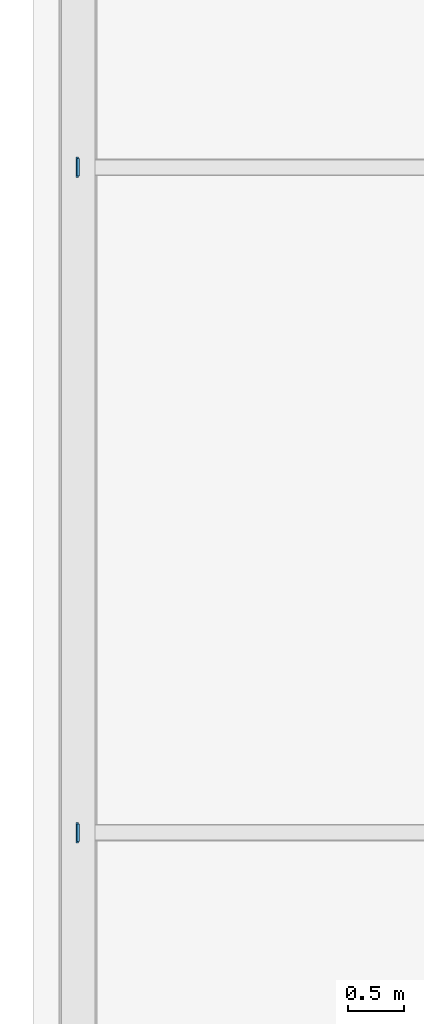
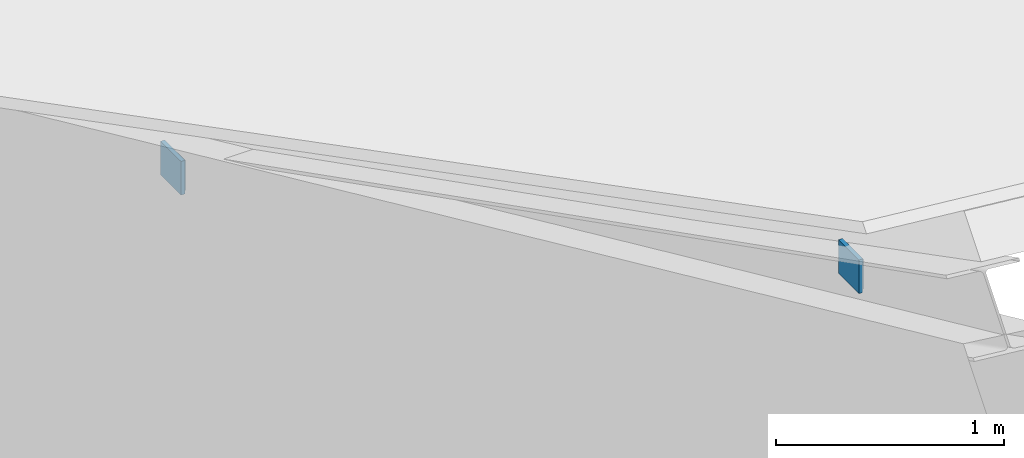
# One storey, part 38 of 45: 4 plates.
"""IFC4 building model written with IfcOpenShell, lengths in metres."""

from ifc_helpers import new_model, si_unit, direction, frame, origin, origin_2d, place, context, subcontext, project, spatial, rectangle, extrude, material, layer, layer_set, type_object, element, save


model = new_model("IFC4")

# Units and contexts
model_context = context("Model", 3, precision=1e-05, world=origin(), true_north=direction((0.0, 1.0)))
body_context = subcontext(model_context, "Body", "Model", "MODEL_VIEW")
ifc_project = project(units=[si_unit("LENGTHUNIT", "METRE"), si_unit("AREAUNIT", "SQUARE_METRE"), si_unit("VOLUMEUNIT", "CUBIC_METRE"), si_unit("PLANEANGLEUNIT", "RADIAN"), si_unit("MASSUNIT", "GRAM", prefix="KILO")], contexts=[model_context])

# Site, building, storey
site_placement = place(None, origin())
site = spatial("IfcSite", under=ifc_project, at=site_placement, CompositionType="ELEMENT")
building_placement = place(site_placement, origin())
building = spatial("IfcBuilding", under=site, at=building_placement, Name="Zhaolan Boulevard Law Courts", CompositionType="ELEMENT")
storey_placement = place(building_placement, frame((0.0, 0.0, 24.60009765625)))
storey = spatial("IfcBuildingStorey", under=building, at=storey_placement, Name="L05", CompositionType="ELEMENT", Elevation=24.60009765625)

# Plates
ifc_material = material(Name="Structural steel Q355B", Category="steel")
ifc_layer = layer(ifc_material, 0.02001953125)
ifc_layer_set = layer_set([ifc_layer])
plate_type = type_object("IfcPlateType", Name="END CAP PLATE 20", PredefinedType="SHEET", material=ifc_layer_set)
for number, where, z_axis, x_axis, name in (
    (1, (0.0, 106.050048828125, 2.62109375), (0.0, 0.0, 1.0), (1.0, 0.0, 0.0), "Library Purlin End-Cap Plate ECP-LPR1NW"),
    (2, (0.0, 100.10009765625, 5.701171875), (0.0, 0.0, 1.0), (1.0, 0.0, 0.0), "Library Purlin End-Cap Plate ECP-LPR2NW"),
):
    element("IfcPlate", number, at=place(storey_placement, frame(where, z_axis=z_axis, x_axis=x_axis)), inside=storey, type_object=plate_type, Name=name, PredefinedType="SHEET", context=body_context, shape_type="SweptSolid", body=[
        extrude(rectangle(XDim=0.02001953125, YDim=0.159912109375, at=origin_2d()), origin(), (0.0, 0.0, 1.0), 0.159912109375),
    ])
for number, where, z_axis, x_axis, name in (
    (3, (-0.008056640625, 106.050048828125, 2.61083984375), (0.0, 0.0, 1.0), (1.0, 0.0, 0.0), "Hollow Section End-Cap Plate ECP-1483"),
    (4, (-0.008056640625, 100.10009765625, 5.69091796875), (0.0, 0.0, 1.0), (1.0, 0.0, 0.0), "Hollow Section End-Cap Plate ECP-1487"),
):
    element("IfcPlate", number, at=place(storey_placement, frame(where, z_axis=z_axis, x_axis=x_axis)), inside=storey, type_object=plate_type, Name=name, PredefinedType="SHEET", context=body_context, shape_type="SweptSolid", body=[
        extrude(rectangle(XDim=0.02001953125, YDim=0.179931640625, at=origin_2d()), origin(), (0.0, 0.0, 1.0), 0.179931640625),
    ])

save(model, "model.ifc")
